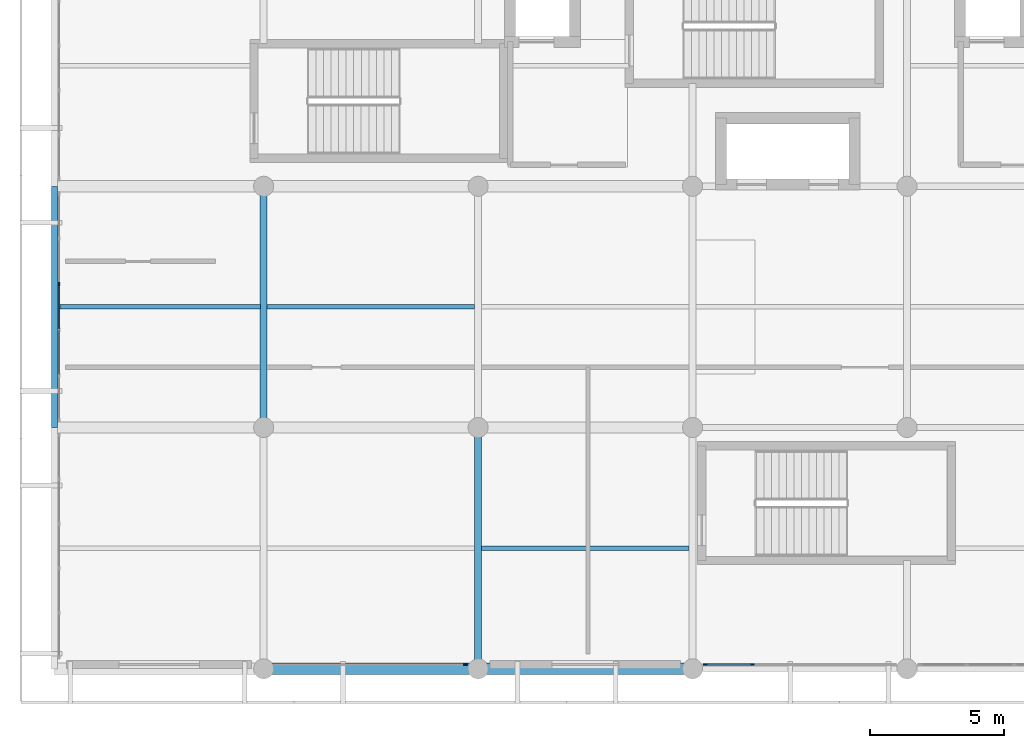
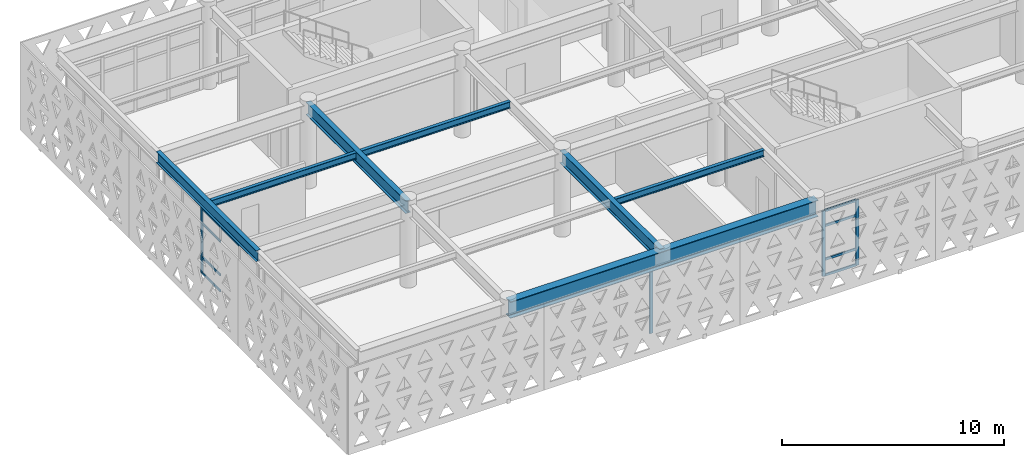
# One storey, part 3 of 33: 13 members, 7 beams, 3 elements without a shape of their own.
"""IFC4 building model written with IfcOpenShell, lengths in metres."""

from ifc_helpers import new_model, si_unit, direction, frame, origin, origin_2d, place, context, subcontext, project, spatial, rectangle, i_section, extrude, material, layer, layer_set, material_profile, profile_set, type_object, element, aggregate, save


model = new_model("IFC4")

# Units and contexts
model_context = context("Model", 3, precision=1e-05, world=origin(), true_north=direction((0.0, 1.0)))
body_context = subcontext(model_context, "Body", "Model", "MODEL_VIEW")
ifc_project = project(units=[si_unit("LENGTHUNIT", "METRE"), si_unit("AREAUNIT", "SQUARE_METRE"), si_unit("VOLUMEUNIT", "CUBIC_METRE"), si_unit("PLANEANGLEUNIT", "RADIAN"), si_unit("MASSUNIT", "GRAM", prefix="KILO")], contexts=[model_context])

# Site, building, storey
site_placement = place(None, origin())
site = spatial("IfcSite", under=ifc_project, at=site_placement, CompositionType="ELEMENT")
building_placement = place(site_placement, origin())
building = spatial("IfcBuilding", under=site, at=building_placement, Name="Tlacozan Convention Centre", CompositionType="ELEMENT")
storey_placement = place(building_placement, frame((0.0, 0.0, 16.199951171875)))
storey = spatial("IfcBuildingStorey", under=building, at=storey_placement, Name="L03", CompositionType="ELEMENT", Elevation=16.199951171875)

# Curtain wall, members
ifc_material_1 = material(Name="Dark Bronze Anodised Aluminium", Category="aluminium")
ifc_layer_1 = layer(ifc_material_1, 0.159912109375)
ifc_layer_set_1 = layer_set([ifc_layer_1], Name="Dark Bronze Anodised Aluminium")
curtain_wall_type_1 = type_object("IfcCurtainWallType", Name="Unitised Congress Gable End CW06", PredefinedType="NOTDEFINED", material=ifc_layer_set_1)
curtain_wall_1_placement = place(storey_placement, origin())
curtain_wall_1 = element("IfcCurtainWall", 1, at=curtain_wall_1_placement, inside=storey, type_object=curtain_wall_type_1, Name="L03 CW-06 Run 120", PredefinedType="NOTDEFINED")
ifc_material_profile_1 = material_profile(ifc_material_1, rectangle(XDim=0.06005859375, YDim=0.139892578125, at=origin_2d()), Name="ALU 60x140")
ifc_profile_set_1 = profile_set([ifc_material_profile_1], Name="Dark Bronze Anodised Aluminium")
member_type_1 = type_object("IfcMemberType", Name="Curtain Wall Light Mullion 60x140", PredefinedType="MULLION", material=ifc_profile_set_1)
member_1_placement = place(storey_placement, frame((0.360107421875, 14.35009765625, 0.0), z_axis=(0.0, 0.0, 1.0), x_axis=(-1.0, 0.0, 0.0)))
member_1 = element("IfcMember", 2, at=member_1_placement, type_object=member_type_1, Name="CW-06 mullion 4", PredefinedType="MULLION", context=body_context, shape_type="SweptSolid", body=[
    extrude(rectangle(XDim=0.06005859375, YDim=0.139892578125, at=origin_2d()), origin(), (0.0, 0.0, 1.0), 3.60009765625),
])
ifc_material_profile_2 = material_profile(ifc_material_1, rectangle(XDim=0.06005859375, YDim=0.110107421875, at=origin_2d()), Name="ALU 60x110")
ifc_profile_set_2 = profile_set([ifc_material_profile_2], Name="Dark Bronze Anodised Aluminium")
member_type_2 = type_object("IfcMemberType", Name="Curtain Wall Light Transom 60x110", PredefinedType="USERDEFINED", material=ifc_profile_set_2)
member_2_placement = place(storey_placement, frame((0.360107421875, 10.97998046875, 3.570068359375), z_axis=(0.0, 1.0, 0.0), x_axis=(-1.0, 0.0, 0.0)))
member_2 = element("IfcMember", 3, at=member_2_placement, type_object=member_type_2, Name="CW-06 transom 2.4", ObjectType="TRANSOM", PredefinedType="USERDEFINED", context=body_context, shape_type="SweptSolid", body=[
    extrude(rectangle(XDim=0.06005859375, YDim=0.110107421875, at=origin_2d()), origin(), (0.0, 0.0, 1.0), 1.64013671875),
])
member_3_placement = place(storey_placement, frame((0.360107421875, 12.679931640625, 0.030029296875), z_axis=(0.0, 1.0, 0.0), x_axis=(-1.0, 0.0, 0.0)))
member_3 = element("IfcMember", 4, at=member_3_placement, type_object=member_type_2, Name="CW-06 transom 3.1", ObjectType="TRANSOM", PredefinedType="USERDEFINED", context=body_context, shape_type="SweptSolid", body=[
    extrude(rectangle(XDim=0.06005859375, YDim=0.110107421875, at=origin_2d()), origin(), (0.0, 0.0, 1.0), 1.64013671875),
])
member_4_placement = place(storey_placement, frame((0.360107421875, 12.679931640625, 0.900146484375), z_axis=(0.0, 1.0, 0.0), x_axis=(-1.0, 0.0, 0.0)))
member_4 = element("IfcMember", 5, at=member_4_placement, type_object=member_type_2, Name="CW-06 transom 3.2", ObjectType="TRANSOM", PredefinedType="USERDEFINED", context=body_context, shape_type="SweptSolid", body=[
    extrude(rectangle(XDim=0.06005859375, YDim=0.110107421875, at=origin_2d()), origin(), (0.0, 0.0, 1.0), 1.64013671875),
])
member_5_placement = place(storey_placement, frame((0.360107421875, 12.679931640625, 2.75), z_axis=(0.0, 1.0, 0.0), x_axis=(-1.0, 0.0, 0.0)))
member_5 = element("IfcMember", 6, at=member_5_placement, type_object=member_type_2, Name="CW-06 transom 3.3", ObjectType="TRANSOM", PredefinedType="USERDEFINED", context=body_context, shape_type="SweptSolid", body=[
    extrude(rectangle(XDim=0.06005859375, YDim=0.110107421875, at=origin_2d()), origin(), (0.0, 0.0, 1.0), 1.64013671875),
])
member_6_placement = place(storey_placement, frame((0.360107421875, 12.679931640625, 3.570068359375), z_axis=(0.0, 1.0, 0.0), x_axis=(-1.0, 0.0, 0.0)))
member_6 = element("IfcMember", 7, at=member_6_placement, type_object=member_type_2, Name="CW-06 transom 3.4", ObjectType="TRANSOM", PredefinedType="USERDEFINED", context=body_context, shape_type="SweptSolid", body=[
    extrude(rectangle(XDim=0.06005859375, YDim=0.110107421875, at=origin_2d()), origin(), (0.0, 0.0, 1.0), 1.64013671875),
])
aggregate(curtain_wall_1, [member_1, member_2, member_3, member_4, member_5, member_6])

# Curtain wall, member
ifc_layer_2 = layer(ifc_material_1, 0.159912109375)
ifc_layer_set_2 = layer_set([ifc_layer_2], Name="Dark Bronze Anodised Aluminium")
curtain_wall_type_2 = type_object("IfcCurtainWallType", Name="Unitised Congress L03 South CW04", PredefinedType="NOTDEFINED", material=ifc_layer_set_2)
curtain_wall_2_placement = place(storey_placement, origin())
curtain_wall_2 = element("IfcCurtainWall", 8, at=curtain_wall_2_placement, inside=storey, type_object=curtain_wall_type_2, Name="L03 CW-04 Run 102", PredefinedType="NOTDEFINED")
ifc_material_profile_3 = material_profile(ifc_material_1, rectangle(XDim=0.06494140625, YDim=0.159912109375, at=origin_2d()), Name="ALU 65x160")
ifc_profile_set_3 = profile_set([ifc_material_profile_3], Name="Dark Bronze Anodised Aluminium")
member_type_3 = type_object("IfcMemberType", Name="Curtain Wall Mullion 65x160", PredefinedType="MULLION", material=ifc_profile_set_3)
member_7_placement = place(storey_placement, frame((15.517578125, 0.159912109375, 0.0), z_axis=(0.0, 0.0, 1.0), x_axis=(0.0, 1.0, 0.0)))
member_7 = element("IfcMember", 9, at=member_7_placement, type_object=member_type_3, Name="CW-04 mullion 5", PredefinedType="MULLION", context=body_context, shape_type="SweptSolid", body=[
    extrude(rectangle(XDim=0.06494140625, YDim=0.159912109375, at=origin_2d()), origin(), (0.0, 0.0, 1.0), 3.60009765625),
])
aggregate(curtain_wall_2, [member_7])

# Curtain wall, members
curtain_wall_3_placement = place(storey_placement, origin())
curtain_wall_3 = element("IfcCurtainWall", 10, at=curtain_wall_3_placement, inside=storey, type_object=curtain_wall_type_2, Name="L03 CW-04 Run 103", PredefinedType="NOTDEFINED")
member_8_placement = place(storey_placement, frame((24.482421875, 0.159912109375, 0.0), z_axis=(0.0, 0.0, 1.0), x_axis=(0.0, 1.0, 0.0)))
member_8 = element("IfcMember", 11, at=member_8_placement, type_object=member_type_3, Name="CW-04 mullion 1", PredefinedType="MULLION", context=body_context, shape_type="SweptSolid", body=[
    extrude(rectangle(XDim=0.06494140625, YDim=0.159912109375, at=origin_2d()), origin(), (0.0, 0.0, 1.0), 3.60009765625),
])
member_9_placement = place(storey_placement, frame((26.22509765625, 0.159912109375, 0.0), z_axis=(0.0, 0.0, 1.0), x_axis=(0.0, 1.0, 0.0)))
member_9 = element("IfcMember", 12, at=member_9_placement, type_object=member_type_3, Name="CW-04 mullion 2", PredefinedType="MULLION", context=body_context, shape_type="SweptSolid", body=[
    extrude(rectangle(XDim=0.06494140625, YDim=0.159912109375, at=origin_2d()), origin(), (0.0, 0.0, 1.0), 3.60009765625),
])
ifc_material_profile_4 = material_profile(ifc_material_1, rectangle(XDim=0.06494140625, YDim=0.125, at=origin_2d()), Name="ALU 65x125")
ifc_profile_set_4 = profile_set([ifc_material_profile_4], Name="Dark Bronze Anodised Aluminium")
member_type_4 = type_object("IfcMemberType", Name="Curtain Wall Transom 65x125", PredefinedType="USERDEFINED", material=ifc_profile_set_4)
member_10_placement = place(storey_placement, frame((24.514892578125, 0.159912109375, 0.032470703125), z_axis=(1.0, 0.0, 0.0), x_axis=(0.0, 1.0, 0.0)))
member_10 = element("IfcMember", 13, at=member_10_placement, type_object=member_type_4, Name="CW-04 transom 1.1", ObjectType="TRANSOM", PredefinedType="USERDEFINED", context=body_context, shape_type="SweptSolid", body=[
    extrude(rectangle(XDim=0.06494140625, YDim=0.125, at=origin_2d()), origin(), (0.0, 0.0, 1.0), 1.677490234375),
])
member_11_placement = place(storey_placement, frame((24.514892578125, 0.159912109375, 0.900146484375), z_axis=(1.0, 0.0, 0.0), x_axis=(0.0, 1.0, 0.0)))
member_11 = element("IfcMember", 14, at=member_11_placement, type_object=member_type_4, Name="CW-04 transom 1.2", ObjectType="TRANSOM", PredefinedType="USERDEFINED", context=body_context, shape_type="SweptSolid", body=[
    extrude(rectangle(XDim=0.06494140625, YDim=0.125, at=origin_2d()), origin(), (0.0, 0.0, 1.0), 1.677490234375),
])
member_12_placement = place(storey_placement, frame((24.514892578125, 0.159912109375, 2.75), z_axis=(1.0, 0.0, 0.0), x_axis=(0.0, 1.0, 0.0)))
member_12 = element("IfcMember", 15, at=member_12_placement, type_object=member_type_4, Name="CW-04 transom 1.3", ObjectType="TRANSOM", PredefinedType="USERDEFINED", context=body_context, shape_type="SweptSolid", body=[
    extrude(rectangle(XDim=0.06494140625, YDim=0.125, at=origin_2d()), origin(), (0.0, 0.0, 1.0), 1.677490234375),
])
member_13_placement = place(storey_placement, frame((24.514892578125, 0.159912109375, 3.567626953125), z_axis=(1.0, 0.0, 0.0), x_axis=(0.0, 1.0, 0.0)))
member_13 = element("IfcMember", 16, at=member_13_placement, type_object=member_type_4, Name="CW-04 transom 1.4", ObjectType="TRANSOM", PredefinedType="USERDEFINED", context=body_context, shape_type="SweptSolid", body=[
    extrude(rectangle(XDim=0.06494140625, YDim=0.125, at=origin_2d()), origin(), (0.0, 0.0, 1.0), 1.677490234375),
])
aggregate(curtain_wall_3, [member_8, member_9, member_10, member_11, member_12, member_13])

# Beams
ifc_material_2 = material(Name="Steel ASTM A992 Grade 50", Category="steel")
ifc_material_profile_5 = material_profile(ifc_material_2, i_section(OverallWidth=0.256103515625, OverallDepth=0.693115234375, WebThickness=0.014404296875, FlangeThickness=0.023681640625, FilletRadius=0.014892578125, at=origin_2d()), Name="IR 686x170.0")
ifc_profile_set_5 = profile_set([ifc_material_profile_5], Name="Steel ASTM A992 Grade 50")
beam_type_1 = type_object("IfcBeamType", Name="Girder Steel IR 686x170", PredefinedType="BEAM", material=ifc_profile_set_5)
for number, where, z_axis, x_axis, name in (
    (17, (8.0, 9.0, 4.213623046875), (0.0, 1.0, 0.0), (-1.0, 0.0, 0.0), "L03 Girder Steel IR 686x170 538"),
    (18, (16.0, 0.0, 4.213623046875), (0.0, 1.0, 0.0), (-1.0, 0.0, 0.0), "L03 Girder Steel IR 686x170 540"),
):
    element("IfcBeam", number, at=place(storey_placement, frame(where, z_axis=z_axis, x_axis=x_axis)), inside=storey, type_object=beam_type_1, Name=name, PredefinedType="BEAM", context=body_context, shape_type="SweptSolid", body=[
        extrude(i_section(OverallWidth=0.256103515625, OverallDepth=0.693115234375, WebThickness=0.014404296875, FlangeThickness=0.023681640625, FilletRadius=0.014892578125, at=origin_2d()), origin(), (0.0, 0.0, 1.0), 9.0),
    ])
ifc_material_profile_6 = material_profile(ifc_material_2, i_section(OverallWidth=0.22900390625, OverallDepth=0.612060546875, WebThickness=0.011962890625, FlangeThickness=0.01953125, FilletRadius=0.012939453125, at=origin_2d()), Name="IR 610x125.0")
ifc_profile_set_6 = profile_set([ifc_material_profile_6], Name="Steel ASTM A992 Grade 50")
beam_type_2 = type_object("IfcBeamType", Name="Perimeter Spandrel IR 610x125", PredefinedType="SPANDREL", material=ifc_profile_set_6)
beam_1_placement = place(storey_placement, frame((0.199951171875, 9.0, 4.254150390625), z_axis=(0.0, 1.0, 0.0), x_axis=(-1.0, 0.0, 0.0)))
element("IfcBeam", 19, at=beam_1_placement, inside=storey, type_object=beam_type_2, Name="L03 Perimeter Spandrel IR 610x125 574", PredefinedType="SPANDREL", context=body_context, shape_type="SweptSolid", body=[
    extrude(i_section(OverallWidth=0.22900390625, OverallDepth=0.612060546875, WebThickness=0.011962890625, FlangeThickness=0.01953125, FilletRadius=0.012939453125, at=origin_2d()), origin(), (0.0, 0.0, 1.0), 9.0),
])
ifc_material_profile_7 = material_profile(ifc_material_2, i_section(OverallWidth=0.173095703125, OverallDepth=0.364013671875, WebThickness=0.009033203125, FlangeThickness=0.015625, FilletRadius=0.010009765625, at=origin_2d()), Name="IR 356x67.1")
ifc_profile_set_7 = profile_set([ifc_material_profile_7], Name="Steel ASTM A992 Grade 50")
beam_type_3 = type_object("IfcBeamType", Name="Secondary Joist IR 356x67.1", PredefinedType="JOIST", material=ifc_profile_set_7)
beam_2_placement = place(storey_placement, frame((0.325927734375, 13.5, 4.3779296875), z_axis=(1.0, 0.0, 0.0), x_axis=(0.0, 1.0, 0.0)))
element("IfcBeam", 20, at=beam_2_placement, inside=storey, type_object=beam_type_3, Name="L03 Secondary Joist IR 356x67.1 621", PredefinedType="JOIST", context=body_context, shape_type="SweptSolid", body=[
    extrude(i_section(OverallWidth=0.173095703125, OverallDepth=0.364013671875, WebThickness=0.009033203125, FlangeThickness=0.015625, FilletRadius=0.010009765625, at=origin_2d()), origin(), (0.0, 0.0, 1.0), 7.548095703125),
])
for number, where, z_axis, x_axis, name in (
    (21, (8.1259765625, 13.5, 4.3779296875), (1.0, 0.0, 0.0), (0.0, 1.0, 0.0), "L03 Secondary Joist IR 356x67.1 624"),
    (22, (16.1259765625, 4.5, 4.3779296875), (1.0, 0.0, 0.0), (0.0, 1.0, 0.0), "L03 Secondary Joist IR 356x67.1 625"),
):
    element("IfcBeam", number, at=place(storey_placement, frame(where, z_axis=z_axis, x_axis=x_axis)), inside=storey, type_object=beam_type_3, Name=name, PredefinedType="JOIST", context=body_context, shape_type="SweptSolid", body=[
        extrude(i_section(OverallWidth=0.173095703125, OverallDepth=0.364013671875, WebThickness=0.009033203125, FlangeThickness=0.015625, FilletRadius=0.010009765625, at=origin_2d()), origin(), (0.0, 0.0, 1.0), 7.748046875),
    ])
ifc_material_profile_8 = material_profile(ifc_material_2, i_section(OverallWidth=0.41796875, OverallDepth=0.912109375, WebThickness=0.019287109375, FlangeThickness=0.031982421875, FilletRadius=0.02001953125, at=origin_2d()), Name="IR 914x342.0")
ifc_profile_set_8 = profile_set([ifc_material_profile_8], Name="Steel ASTM A992 Grade 50")
beam_type_4 = type_object("IfcBeamType", Name="Transfer Girder IR 914x342", PredefinedType="BEAM", material=ifc_profile_set_8)
beam_3_placement = place(storey_placement, frame((24.0, 0.0, 4.10400390625), z_axis=(-1.0, 0.0, 0.0), x_axis=(0.0, -1.0, 0.0)))
element("IfcBeam", 23, at=beam_3_placement, inside=storey, type_object=beam_type_4, Name="L03 Transfer Girder IR 914x342 576", PredefinedType="BEAM", context=body_context, shape_type="SweptSolid", body=[
    extrude(i_section(OverallWidth=0.41796875, OverallDepth=0.912109375, WebThickness=0.019287109375, FlangeThickness=0.031982421875, FilletRadius=0.02001953125, at=origin_2d()), origin(), (0.0, 0.0, 1.0), 16.0),
])

save(model, "model.ifc")
